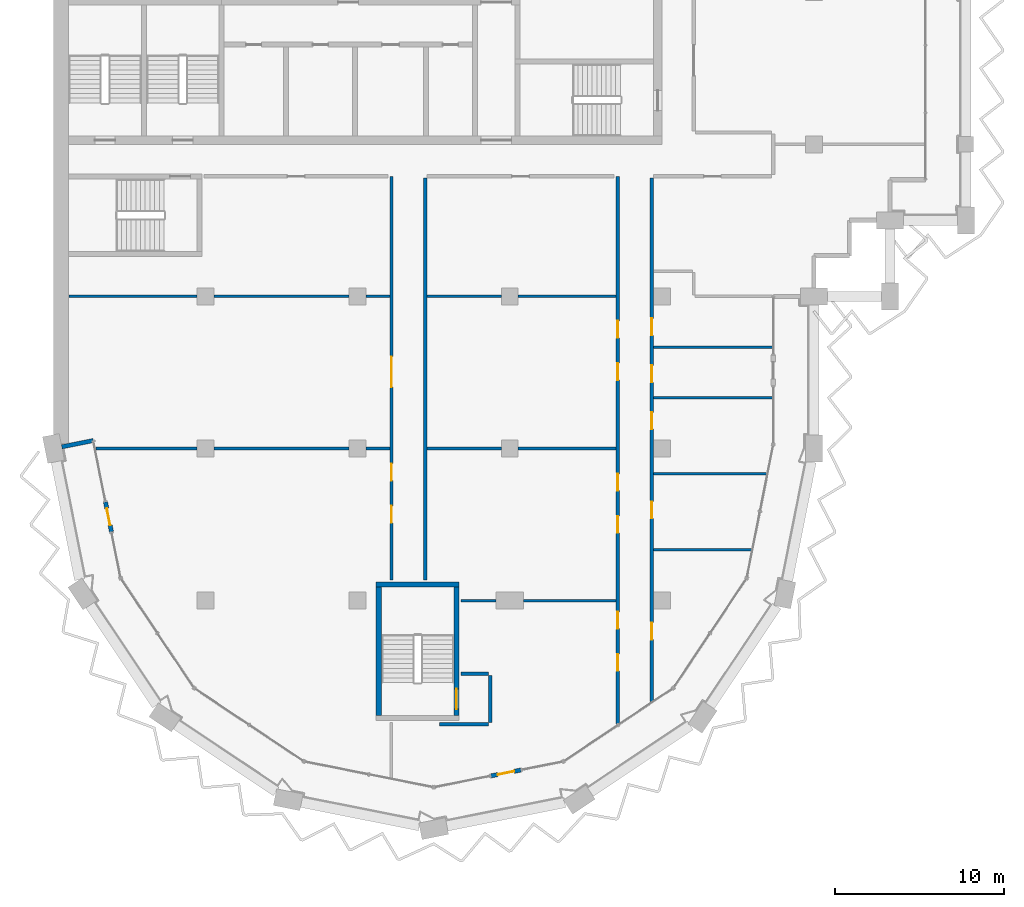
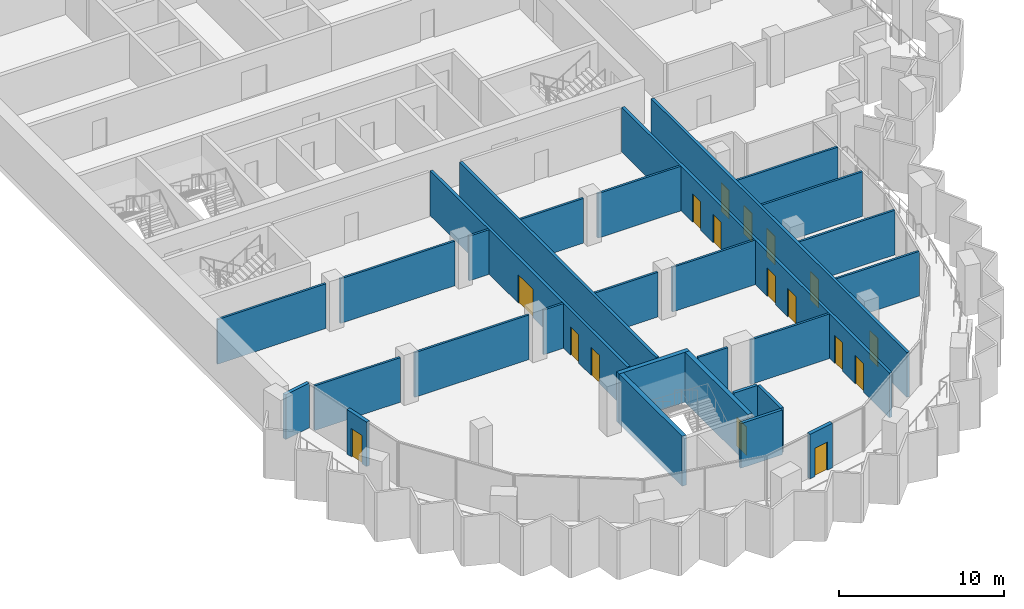
# One storey, part 7 of 16: 29 walls, 17 doors, 17 openings.
"""IFC4 building model written with IfcOpenShell, lengths in metres."""

from ifc_helpers import new_model, si_unit, direction, frame, frame_2d, origin, place, context, subcontext, project, spatial, rectangle, extrude, material, layer, layer_set, type_object, element, fill, save


model = new_model("IFC4")

# Units and contexts
model_context = context("Model", 3, precision=1e-05, world=origin(), true_north=direction((0.0, 1.0)))
body_context = subcontext(model_context, "Body", "Model", "MODEL_VIEW")
ifc_project = project(units=[si_unit("LENGTHUNIT", "METRE"), si_unit("AREAUNIT", "SQUARE_METRE"), si_unit("VOLUMEUNIT", "CUBIC_METRE"), si_unit("PLANEANGLEUNIT", "RADIAN"), si_unit("MASSUNIT", "GRAM", prefix="KILO")], contexts=[model_context])

# Site, building, storey
site_placement = place(None, origin())
site = spatial("IfcSite", under=ifc_project, at=site_placement, CompositionType="ELEMENT")
building_placement = place(site_placement, origin())
building = spatial("IfcBuilding", under=site, at=building_placement, Name="Hunhe Ridgeline Campus", CompositionType="ELEMENT")
storey_placement = place(building_placement, frame((0.0, 0.0, 261.39990234375)))
storey = spatial("IfcBuildingStorey", under=building, at=storey_placement, Name="L67", CompositionType="ELEMENT", Elevation=261.39990234375)

# Walls
ifc_material_1 = material(Name="Concrete C30", Category="concrete")
ifc_layer_1 = layer(ifc_material_1, 0.25)
ifc_layer_set_1 = layer_set([ifc_layer_1], Name="Corner return wall 250 Concrete C30")
wall_type_1 = type_object("IfcWallType", Name="Corner return wall 250 Concrete C30", PredefinedType="SOLIDWALL", material=ifc_layer_set_1)
wall_1_placement = place(storey_placement, frame((0.490234375, 45.098388671875, 0.0), z_axis=(0.0, 0.0, 1.0), x_axis=(0.980836699013, 0.194831644939, 0.0)))
element("IfcWall", 1, at=wall_1_placement, inside=storey, type_object=wall_type_1, Name="Corner return wall 1", PredefinedType="SOLIDWALL", context=body_context, shape_type="SweptSolid", body=[
    extrude(rectangle(XDim=1.90087890625, YDim=0.25, at=frame_2d((0.950439453125, 0.0))), origin(), (0.0, 0.0, 1.0), 3.300048828125),
])
ifc_material_2 = material(Name="Gypsum board partition")
ifc_layer_2 = layer(ifc_material_2, 0.199951171875)
ifc_layer_set_2 = layer_set([ifc_layer_2], Name="Corridor partition 200 gypsum board on steel studs")
wall_type_2 = type_object("IfcWallType", Name="Corridor partition 200 gypsum board on steel studs", PredefinedType="PARTITIONING", material=ifc_layer_set_2)
wall_2_placement = place(storey_placement, frame((25.75, 28.675048828125, 0.0), z_axis=(0.0, 0.0, 1.0), x_axis=(-1.0, 0.0, 0.0)))
element("IfcWall", 2, at=wall_2_placement, inside=storey, type_object=wall_type_2, Name="F-L67-wall-001", PredefinedType="PARTITIONING", context=body_context, shape_type="SweptSolid", body=[
    extrude(rectangle(XDim=2.89990234375, YDim=0.199951171875, at=frame_2d((1.449951171875, 0.0))), origin(), (0.0, 0.0, 1.0), 3.300048828125),
])
wall_3_placement = place(storey_placement, frame((24.10400390625, 31.675048828125, 0.0), z_axis=(0.0, 0.0, 1.0), x_axis=(1.0, 0.0, 0.0)))
element("IfcWall", 3, at=wall_3_placement, inside=storey, type_object=wall_type_2, Name="F-L67-wall-002", PredefinedType="PARTITIONING", context=body_context, shape_type="SweptSolid", body=[
    extrude(rectangle(XDim=1.64599609375, YDim=0.199951171875, at=frame_2d((0.822998046875, 0.0))), origin(), (0.0, 0.0, 1.0), 3.300048828125),
])

# Wall, openings, doors
wall_4_placement = place(storey_placement, frame((20.0, 37.2041015625, 0.0), z_axis=(0.0, 0.0, 1.0), x_axis=(0.0, 1.0, 0.0)))
wall_4 = element("IfcWall", 4, at=wall_4_placement, inside=storey, type_object=wall_type_2, Name="F-L67-wall-033", PredefinedType="PARTITIONING", context=body_context, shape_type="SweptSolid", body=[
    extrude(rectangle(XDim=23.89599609375, YDim=0.199951171875, at=frame_2d((11.947998046875, 0.0))), origin(), (0.0, 0.0, 1.0), 3.300048828125),
])
opening_1_placement = place(wall_4_placement, frame((3.398681640625, 0.0, 0.0)))
opening_1 = element("IfcOpeningElement", 5, at=opening_1_placement, cuts=wall_4, Name="Opening RD1-005", PredefinedType="OPENING", context=body_context, shape_type="SweptSolid", body=[
    extrude(rectangle(XDim=1.0, YDim=2.10009765625, at=frame_2d((0.5, 1.050048828125))), frame((0.0, 0.10009765625, 0.0), z_axis=(0.0, -1.0, 0.0), x_axis=(1.0, 0.0, 0.0)), (0.0, 0.0, 1.0), 0.199951171875),
])
opening_2_placement = place(wall_4_placement, frame((5.898681640625, 0.0, 0.0)))
opening_2 = element("IfcOpeningElement", 6, at=opening_2_placement, cuts=wall_4, Name="Opening RD1-008", PredefinedType="OPENING", context=body_context, shape_type="SweptSolid", body=[
    extrude(rectangle(XDim=1.0, YDim=2.10009765625, at=frame_2d((0.5, 1.050048828125))), frame((0.0, 0.10009765625, 0.0), z_axis=(0.0, -1.0, 0.0), x_axis=(1.0, 0.0, 0.0)), (0.0, 0.0, 1.0), 0.199951171875),
])
opening_3_placement = place(wall_4_placement, frame((11.42529296875, 0.0, 0.0)))
opening_3 = element("IfcOpeningElement", 7, at=opening_3_placement, cuts=wall_4, Name="Opening RD2-011", PredefinedType="OPENING", context=body_context, shape_type="SweptSolid", body=[
    extrude(rectangle(XDim=1.800048828125, YDim=2.10009765625, at=frame_2d((0.89990234375, 1.050048828125))), frame((0.0, 0.10009765625, 0.0), z_axis=(0.0, -1.0, 0.0), x_axis=(1.0, 0.0, 0.0)), (0.0, 0.0, 1.0), 0.199951171875),
])
ifc_material_3 = material(Name="Timber door leaf", Category="wood")
door_type_1 = type_object("IfcDoorType", Name="Double fire door 1800x2100 timber FD60", OperationType="DOUBLE_DOOR_SINGLE_SWING", PredefinedType="DOOR", material=ifc_material_3)
door_1_placement = place(opening_3_placement, origin())
door_1 = element("IfcDoor", 8, at=door_1_placement, inside=storey, type_object=door_type_1, Name="F-L67-door-011", OperationType="DOUBLE_DOOR_SINGLE_SWING", OverallHeight=2.10009765625, OverallWidth=1.800048828125, PredefinedType="DOOR", context=body_context, shape_type="SweptSolid", body=[
    extrude(rectangle(XDim=1.800048828125, YDim=2.10009765625, at=frame_2d((0.89990234375, 1.050048828125))), frame((0.0, 0.02490234375, 0.0), z_axis=(0.0, -1.0, 0.0), x_axis=(1.0, 0.0, 0.0)), (0.0, 0.0, 1.0), 0.050048828125),
])
fill(opening_3, door_1)
door_type_2 = type_object("IfcDoorType", Name="Single fire door 1000x2100 timber FD60", OperationType="NOTDEFINED", PredefinedType="DOOR", material=ifc_material_3)
door_2_placement = place(opening_1_placement, frame((1.0, 0.0, 0.0), z_axis=(0.0, 0.0, 1.0), x_axis=(-1.0, 0.0, 0.0)))
door_2 = element("IfcDoor", 9, at=door_2_placement, inside=storey, type_object=door_type_2, Name="F-L67-door-005", OperationType="SINGLE_SWING_LEFT", OverallHeight=2.10009765625, OverallWidth=1.0, PredefinedType="DOOR", context=body_context, shape_type="SweptSolid", body=[
    extrude(rectangle(XDim=1.0, YDim=2.10009765625, at=frame_2d((0.5, 1.050048828125))), frame((0.0, 0.02490234375, 0.0), z_axis=(0.0, -1.0, 0.0), x_axis=(1.0, 0.0, 0.0)), (0.0, 0.0, 1.0), 0.050048828125),
])
fill(opening_1, door_2)
door_3_placement = place(opening_2_placement, frame((1.0, 0.0, 0.0), z_axis=(0.0, 0.0, 1.0), x_axis=(-1.0, 0.0, 0.0)))
door_3 = element("IfcDoor", 10, at=door_3_placement, inside=storey, type_object=door_type_2, Name="F-L67-door-008", OperationType="SINGLE_SWING_LEFT", OverallHeight=2.10009765625, OverallWidth=1.0, PredefinedType="DOOR", context=body_context, shape_type="SweptSolid", body=[
    extrude(rectangle(XDim=1.0, YDim=2.10009765625, at=frame_2d((0.5, 1.050048828125))), frame((0.0, 0.02490234375, 0.0), z_axis=(0.0, -1.0, 0.0), x_axis=(1.0, 0.0, 0.0)), (0.0, 0.0, 1.0), 0.050048828125),
])
fill(opening_2, door_3)

# Walls
wall_5_placement = place(storey_placement, frame((22.0, 61.0, 0.0), z_axis=(0.0, 0.0, 1.0), x_axis=(0.0, -1.0, 0.0)))
element("IfcWall", 11, at=wall_5_placement, inside=storey, type_object=wall_type_2, Name="F-L67-wall-034", PredefinedType="PARTITIONING", context=body_context, shape_type="SweptSolid", body=[
    extrude(rectangle(XDim=23.7958984375, YDim=0.199951171875, at=frame_2d((11.89794921875, 0.0))), origin(), (0.0, 0.0, 1.0), 3.300048828125),
])
wall_6_placement = place(storey_placement, frame((25.85009765625, 31.574951171875, 0.0), z_axis=(0.0, 0.0, 1.0), x_axis=(0.0, -1.0, 0.0)))
element("IfcWall", 12, at=wall_6_placement, inside=storey, type_object=wall_type_2, Name="F-L67-wall-035", PredefinedType="PARTITIONING", context=body_context, shape_type="SweptSolid", body=[
    extrude(rectangle(XDim=2.800048828125, YDim=0.199951171875, at=frame_2d((1.39990234375, 0.0))), origin(), (0.0, 0.0, 1.0), 3.300048828125),
])

# Wall, openings, doors
wall_7_placement = place(storey_placement, frame((33.39990234375, 28.6953125, 0.0), z_axis=(0.0, 0.0, 1.0), x_axis=(0.0, 1.0, 0.0)))
wall_7 = element("IfcWall", 13, at=wall_7_placement, inside=storey, type_object=wall_type_2, Name="F-L67-wall-036", PredefinedType="PARTITIONING", context=body_context, shape_type="SweptSolid", body=[
    extrude(rectangle(XDim=32.40478515625, YDim=0.199951171875, at=frame_2d((16.202392578125, 0.0))), origin(), (0.0, 0.0, 1.0), 3.300048828125),
])
opening_4_placement = place(wall_7_placement, frame((3.142333984375, 0.0, 0.0)))
opening_4 = element("IfcOpeningElement", 14, at=opening_4_placement, cuts=wall_7, Name="Opening RD1-001", PredefinedType="OPENING", context=body_context, shape_type="SweptSolid", body=[
    extrude(rectangle(XDim=1.0, YDim=2.10009765625, at=frame_2d((0.5, 1.050048828125))), frame((0.0, 0.10009765625, 0.0), z_axis=(0.0, -1.0, 0.0), x_axis=(1.0, 0.0, 0.0)), (0.0, 0.0, 1.0), 0.199951171875),
])
opening_5_placement = place(wall_7_placement, frame((5.642333984375, 0.0, 0.0)))
opening_5 = element("IfcOpeningElement", 15, at=opening_5_placement, cuts=wall_7, Name="Opening RD1-003", PredefinedType="OPENING", context=body_context, shape_type="SweptSolid", body=[
    extrude(rectangle(XDim=1.0, YDim=2.10009765625, at=frame_2d((0.5, 1.050048828125))), frame((0.0, 0.10009765625, 0.0), z_axis=(0.0, -1.0, 0.0), x_axis=(1.0, 0.0, 0.0)), (0.0, 0.0, 1.0), 0.199951171875),
])
opening_6_placement = place(wall_7_placement, frame((11.306396484375, 0.0, 0.0)))
opening_6 = element("IfcOpeningElement", 16, at=opening_6_placement, cuts=wall_7, Name="Opening RD1-004", PredefinedType="OPENING", context=body_context, shape_type="SweptSolid", body=[
    extrude(rectangle(XDim=1.0, YDim=2.10009765625, at=frame_2d((0.5, 1.050048828125))), frame((0.0, 0.10009765625, 0.0), z_axis=(0.0, -1.0, 0.0), x_axis=(1.0, 0.0, 0.0)), (0.0, 0.0, 1.0), 0.199951171875),
])
opening_7_placement = place(wall_7_placement, frame((13.806396484375, 0.0, 0.0)))
opening_7 = element("IfcOpeningElement", 17, at=opening_7_placement, cuts=wall_7, Name="Opening RD1-007", PredefinedType="OPENING", context=body_context, shape_type="SweptSolid", body=[
    extrude(rectangle(XDim=1.0, YDim=2.10009765625, at=frame_2d((0.5, 1.050048828125))), frame((0.0, 0.10009765625, 0.0), z_axis=(0.0, -1.0, 0.0), x_axis=(1.0, 0.0, 0.0)), (0.0, 0.0, 1.0), 0.199951171875),
])
opening_8_placement = place(wall_7_placement, frame((20.349609375, 0.0, 0.0)))
opening_8 = element("IfcOpeningElement", 18, at=opening_8_placement, cuts=wall_7, Name="Opening RD1-012", PredefinedType="OPENING", context=body_context, shape_type="SweptSolid", body=[
    extrude(rectangle(XDim=1.0, YDim=2.10009765625, at=frame_2d((0.5, 1.050048828125))), frame((0.0, 0.10009765625, 0.0), z_axis=(0.0, -1.0, 0.0), x_axis=(1.0, 0.0, 0.0)), (0.0, 0.0, 1.0), 0.199951171875),
])
opening_9_placement = place(wall_7_placement, frame((22.849609375, 0.0, 0.0)))
opening_9 = element("IfcOpeningElement", 19, at=opening_9_placement, cuts=wall_7, Name="Opening RD1-013", PredefinedType="OPENING", context=body_context, shape_type="SweptSolid", body=[
    extrude(rectangle(XDim=1.0, YDim=2.10009765625, at=frame_2d((0.5, 1.050048828125))), frame((0.0, 0.10009765625, 0.0), z_axis=(0.0, -1.0, 0.0), x_axis=(1.0, 0.0, 0.0)), (0.0, 0.0, 1.0), 0.199951171875),
])
door_4_placement = place(opening_4_placement, frame((1.0, 0.0, 0.0), z_axis=(0.0, 0.0, 1.0), x_axis=(-1.0, 0.0, 0.0)))
door_4 = element("IfcDoor", 20, at=door_4_placement, inside=storey, type_object=door_type_2, Name="F-L67-door-001", OperationType="SINGLE_SWING_LEFT", OverallHeight=2.10009765625, OverallWidth=1.0, PredefinedType="DOOR", context=body_context, shape_type="SweptSolid", body=[
    extrude(rectangle(XDim=1.0, YDim=2.10009765625, at=frame_2d((0.5, 1.050048828125))), frame((0.0, 0.02490234375, 0.0), z_axis=(0.0, -1.0, 0.0), x_axis=(1.0, 0.0, 0.0)), (0.0, 0.0, 1.0), 0.050048828125),
])
fill(opening_4, door_4)
door_5_placement = place(opening_5_placement, frame((1.0, 0.0, 0.0), z_axis=(0.0, 0.0, 1.0), x_axis=(-1.0, 0.0, 0.0)))
door_5 = element("IfcDoor", 21, at=door_5_placement, inside=storey, type_object=door_type_2, Name="F-L67-door-003", OperationType="SINGLE_SWING_LEFT", OverallHeight=2.10009765625, OverallWidth=1.0, PredefinedType="DOOR", context=body_context, shape_type="SweptSolid", body=[
    extrude(rectangle(XDim=1.0, YDim=2.10009765625, at=frame_2d((0.5, 1.050048828125))), frame((0.0, 0.02490234375, 0.0), z_axis=(0.0, -1.0, 0.0), x_axis=(1.0, 0.0, 0.0)), (0.0, 0.0, 1.0), 0.050048828125),
])
fill(opening_5, door_5)
door_6_placement = place(opening_6_placement, frame((1.0, 0.0, 0.0), z_axis=(0.0, 0.0, 1.0), x_axis=(-1.0, 0.0, 0.0)))
door_6 = element("IfcDoor", 22, at=door_6_placement, inside=storey, type_object=door_type_2, Name="F-L67-door-004", OperationType="SINGLE_SWING_RIGHT", OverallHeight=2.10009765625, OverallWidth=1.0, PredefinedType="DOOR", context=body_context, shape_type="SweptSolid", body=[
    extrude(rectangle(XDim=1.0, YDim=2.10009765625, at=frame_2d((0.5, 1.050048828125))), frame((0.0, 0.02490234375, 0.0), z_axis=(0.0, -1.0, 0.0), x_axis=(1.0, 0.0, 0.0)), (0.0, 0.0, 1.0), 0.050048828125),
])
fill(opening_6, door_6)
door_7_placement = place(opening_7_placement, frame((1.0, 0.0, 0.0), z_axis=(0.0, 0.0, 1.0), x_axis=(-1.0, 0.0, 0.0)))
door_7 = element("IfcDoor", 23, at=door_7_placement, inside=storey, type_object=door_type_2, Name="F-L67-door-007", OperationType="SINGLE_SWING_LEFT", OverallHeight=2.10009765625, OverallWidth=1.0, PredefinedType="DOOR", context=body_context, shape_type="SweptSolid", body=[
    extrude(rectangle(XDim=1.0, YDim=2.10009765625, at=frame_2d((0.5, 1.050048828125))), frame((0.0, 0.02490234375, 0.0), z_axis=(0.0, -1.0, 0.0), x_axis=(1.0, 0.0, 0.0)), (0.0, 0.0, 1.0), 0.050048828125),
])
fill(opening_7, door_7)
door_8_placement = place(opening_8_placement, frame((1.0, 0.0, 0.0), z_axis=(0.0, 0.0, 1.0), x_axis=(-1.0, 0.0, 0.0)))
door_8 = element("IfcDoor", 24, at=door_8_placement, inside=storey, type_object=door_type_2, Name="F-L67-door-012", OperationType="SINGLE_SWING_LEFT", OverallHeight=2.10009765625, OverallWidth=1.0, PredefinedType="DOOR", context=body_context, shape_type="SweptSolid", body=[
    extrude(rectangle(XDim=1.0, YDim=2.10009765625, at=frame_2d((0.5, 1.050048828125))), frame((0.0, 0.02490234375, 0.0), z_axis=(0.0, -1.0, 0.0), x_axis=(1.0, 0.0, 0.0)), (0.0, 0.0, 1.0), 0.050048828125),
])
fill(opening_8, door_8)
door_9_placement = place(opening_9_placement, frame((1.0, 0.0, 0.0), z_axis=(0.0, 0.0, 1.0), x_axis=(-1.0, 0.0, 0.0)))
door_9 = element("IfcDoor", 25, at=door_9_placement, inside=storey, type_object=door_type_2, Name="F-L67-door-013", OperationType="SINGLE_SWING_LEFT", OverallHeight=2.10009765625, OverallWidth=1.0, PredefinedType="DOOR", context=body_context, shape_type="SweptSolid", body=[
    extrude(rectangle(XDim=1.0, YDim=2.10009765625, at=frame_2d((0.5, 1.050048828125))), frame((0.0, 0.02490234375, 0.0), z_axis=(0.0, -1.0, 0.0), x_axis=(1.0, 0.0, 0.0)), (0.0, 0.0, 1.0), 0.050048828125),
])
fill(opening_9, door_9)

wall_8_placement = place(storey_placement, frame((35.39990234375, 61.0, 0.0), z_axis=(0.0, 0.0, 1.0), x_axis=(0.0, -1.0, 0.0)))
wall_8 = element("IfcWall", 26, at=wall_8_placement, inside=storey, type_object=wall_type_2, Name="F-L67-wall-037", PredefinedType="PARTITIONING", context=body_context, shape_type="SweptSolid", body=[
    extrude(rectangle(XDim=30.968505859375, YDim=0.199951171875, at=frame_2d((15.484375, 0.0))), origin(), (0.0, 0.0, 1.0), 3.300048828125),
])
opening_10_placement = place(wall_8_placement, frame((26.310546875, 0.0, 0.0)))
opening_10 = element("IfcOpeningElement", 27, at=opening_10_placement, cuts=wall_8, Name="Opening RD1-002", PredefinedType="OPENING", context=body_context, shape_type="SweptSolid", body=[
    extrude(rectangle(XDim=1.0, YDim=2.10009765625, at=frame_2d((0.5, 1.050048828125))), frame((0.0, 0.10009765625, 0.0), z_axis=(0.0, -1.0, 0.0), x_axis=(1.0, 0.0, 0.0)), (0.0, 0.0, 1.0), 0.199951171875),
])
opening_11_placement = place(wall_8_placement, frame((19.138427734375, 0.0, 0.0)))
opening_11 = element("IfcOpeningElement", 28, at=opening_11_placement, cuts=wall_8, Name="Opening RD1-006", PredefinedType="OPENING", context=body_context, shape_type="SweptSolid", body=[
    extrude(rectangle(XDim=1.0, YDim=2.10009765625, at=frame_2d((0.5, 1.050048828125))), frame((0.0, 0.10009765625, 0.0), z_axis=(0.0, -1.0, 0.0), x_axis=(1.0, 0.0, 0.0)), (0.0, 0.0, 1.0), 0.199951171875),
])
opening_12_placement = place(wall_8_placement, frame((13.8583984375, 0.0, 0.0)))
opening_12 = element("IfcOpeningElement", 29, at=opening_12_placement, cuts=wall_8, Name="Opening RD1-009", PredefinedType="OPENING", context=body_context, shape_type="SweptSolid", body=[
    extrude(rectangle(XDim=1.0, YDim=2.10009765625, at=frame_2d((0.5, 1.050048828125))), frame((0.0, 0.10009765625, 0.0), z_axis=(0.0, -1.0, 0.0), x_axis=(1.0, 0.0, 0.0)), (0.0, 0.0, 1.0), 0.199951171875),
])
opening_13_placement = place(wall_8_placement, frame((11.081787109375, 0.0, 0.0)))
opening_13 = element("IfcOpeningElement", 30, at=opening_13_placement, cuts=wall_8, Name="Opening RD1-010", PredefinedType="OPENING", context=body_context, shape_type="SweptSolid", body=[
    extrude(rectangle(XDim=1.0, YDim=2.10009765625, at=frame_2d((0.5, 1.050048828125))), frame((0.0, 0.10009765625, 0.0), z_axis=(0.0, -1.0, 0.0), x_axis=(1.0, 0.0, 0.0)), (0.0, 0.0, 1.0), 0.199951171875),
])
opening_14_placement = place(wall_8_placement, frame((8.30517578125, 0.0, 0.0)))
opening_14 = element("IfcOpeningElement", 31, at=opening_14_placement, cuts=wall_8, Name="Opening RD1-014", PredefinedType="OPENING", context=body_context, shape_type="SweptSolid", body=[
    extrude(rectangle(XDim=1.0, YDim=2.10009765625, at=frame_2d((0.5, 1.050048828125))), frame((0.0, 0.10009765625, 0.0), z_axis=(0.0, -1.0, 0.0), x_axis=(1.0, 0.0, 0.0)), (0.0, 0.0, 1.0), 0.199951171875),
])
door_10_placement = place(opening_10_placement, origin())
door_10 = element("IfcDoor", 32, at=door_10_placement, inside=storey, type_object=door_type_2, Name="F-L67-door-002", OperationType="SINGLE_SWING_RIGHT", OverallHeight=2.10009765625, OverallWidth=1.0, PredefinedType="DOOR", context=body_context, shape_type="SweptSolid", body=[
    extrude(rectangle(XDim=1.0, YDim=2.10009765625, at=frame_2d((0.5, 1.050048828125))), frame((0.0, 0.02490234375, 0.0), z_axis=(0.0, -1.0, 0.0), x_axis=(1.0, 0.0, 0.0)), (0.0, 0.0, 1.0), 0.050048828125),
])
fill(opening_10, door_10)
door_11_placement = place(opening_11_placement, origin())
door_11 = element("IfcDoor", 33, at=door_11_placement, inside=storey, type_object=door_type_2, Name="F-L67-door-006", OperationType="SINGLE_SWING_LEFT", OverallHeight=2.10009765625, OverallWidth=1.0, PredefinedType="DOOR", context=body_context, shape_type="SweptSolid", body=[
    extrude(rectangle(XDim=1.0, YDim=2.10009765625, at=frame_2d((0.5, 1.050048828125))), frame((0.0, 0.02490234375, 0.0), z_axis=(0.0, -1.0, 0.0), x_axis=(1.0, 0.0, 0.0)), (0.0, 0.0, 1.0), 0.050048828125),
])
fill(opening_11, door_11)
door_12_placement = place(opening_12_placement, origin())
door_12 = element("IfcDoor", 34, at=door_12_placement, inside=storey, type_object=door_type_2, Name="F-L67-door-009", OperationType="SINGLE_SWING_LEFT", OverallHeight=2.10009765625, OverallWidth=1.0, PredefinedType="DOOR", context=body_context, shape_type="SweptSolid", body=[
    extrude(rectangle(XDim=1.0, YDim=2.10009765625, at=frame_2d((0.5, 1.050048828125))), frame((0.0, 0.02490234375, 0.0), z_axis=(0.0, -1.0, 0.0), x_axis=(1.0, 0.0, 0.0)), (0.0, 0.0, 1.0), 0.050048828125),
])
fill(opening_12, door_12)
door_13_placement = place(opening_13_placement, origin())
door_13 = element("IfcDoor", 35, at=door_13_placement, inside=storey, type_object=door_type_2, Name="F-L67-door-010", OperationType="SINGLE_SWING_LEFT", OverallHeight=2.10009765625, OverallWidth=1.0, PredefinedType="DOOR", context=body_context, shape_type="SweptSolid", body=[
    extrude(rectangle(XDim=1.0, YDim=2.10009765625, at=frame_2d((0.5, 1.050048828125))), frame((0.0, 0.02490234375, 0.0), z_axis=(0.0, -1.0, 0.0), x_axis=(1.0, 0.0, 0.0)), (0.0, 0.0, 1.0), 0.050048828125),
])
fill(opening_13, door_13)
door_14_placement = place(opening_14_placement, origin())
door_14 = element("IfcDoor", 36, at=door_14_placement, inside=storey, type_object=door_type_2, Name="F-L67-door-014", OperationType="SINGLE_SWING_RIGHT", OverallHeight=2.10009765625, OverallWidth=1.0, PredefinedType="DOOR", context=body_context, shape_type="SweptSolid", body=[
    extrude(rectangle(XDim=1.0, YDim=2.10009765625, at=frame_2d((0.5, 1.050048828125))), frame((0.0, 0.02490234375, 0.0), z_axis=(0.0, -1.0, 0.0), x_axis=(1.0, 0.0, 0.0)), (0.0, 0.0, 1.0), 0.050048828125),
])
fill(opening_14, door_14)

# Wall, opening, door
ifc_layer_3 = layer(ifc_material_1, 0.25)
ifc_layer_set_3 = layer_set([ifc_layer_3], Name="Loggia door pier wall 250 Concrete C30")
wall_type_3 = type_object("IfcWallType", Name="Loggia door pier wall 250 Concrete C30", PredefinedType="SOLIDWALL", material=ifc_layer_set_3)
wall_9_placement = place(storey_placement, frame((3.076904296875, 41.8388671875, 0.0), z_axis=(0.0, 0.0, 1.0), x_axis=(0.195046569833, -0.980793982239, 0.0)))
wall_9 = element("IfcWall", 37, at=wall_9_placement, inside=storey, type_object=wall_type_3, Name="Loggia door pier 1", PredefinedType="SOLIDWALL", context=body_context, shape_type="SweptSolid", body=[
    extrude(rectangle(XDim=1.800048828125, YDim=0.25, at=frame_2d((0.89990234375, 0.0))), origin(), (0.0, 0.0, 1.0), 3.300048828125),
])
opening_15_placement = place(wall_9_placement, frame((0.39990234375, 0.0, 0.0)))
opening_15 = element("IfcOpeningElement", 38, at=opening_15_placement, cuts=wall_9, Name="Opening BD501", PredefinedType="OPENING", context=body_context, shape_type="SweptSolid", body=[
    extrude(rectangle(XDim=1.0, YDim=2.10009765625, at=frame_2d((0.5, 1.050048828125))), frame((0.0, 0.125, 0.0), z_axis=(0.0, -1.0, 0.0), x_axis=(1.0, 0.0, 0.0)), (0.0, 0.0, 1.0), 0.25),
])
ifc_material_4 = material(Name="Aluminium 6063", Category="aluminium")
door_type_3 = type_object("IfcDoorType", Name="Loggia glazed door 1000x2100", OperationType="NOTDEFINED", PredefinedType="DOOR", material=ifc_material_4)
door_15_placement = place(opening_15_placement, frame((1.0, 0.0, 0.0), z_axis=(0.0, 0.0, 1.0), x_axis=(-1.0, 0.0, 0.0)))
door_15 = element("IfcDoor", 39, at=door_15_placement, inside=storey, type_object=door_type_3, Name="Loggia door BD501", OperationType="SINGLE_SWING_RIGHT", OverallHeight=2.10009765625, OverallWidth=1.0, PredefinedType="DOOR", context=body_context, shape_type="SweptSolid", body=[
    extrude(rectangle(XDim=1.0, YDim=2.10009765625, at=frame_2d((0.5, 1.050048828125))), frame((0.0, 0.02490234375, 0.0), z_axis=(0.0, -1.0, 0.0), x_axis=(1.0, 0.0, 0.0)), (0.0, 0.0, 1.0), 0.050048828125),
])
fill(opening_15, door_15)

wall_10_placement = place(storey_placement, frame((25.8955078125, 25.62353515625, 0.0), z_axis=(0.0, 0.0, 1.0), x_axis=(0.980793982239, 0.195046569833, 0.0)))
wall_10 = element("IfcWall", 40, at=wall_10_placement, inside=storey, type_object=wall_type_3, Name="Loggia door pier 2", PredefinedType="SOLIDWALL", context=body_context, shape_type="SweptSolid", body=[
    extrude(rectangle(XDim=1.800048828125, YDim=0.25, at=frame_2d((0.89990234375, 0.0))), origin(), (0.0, 0.0, 1.0), 3.300048828125),
])
opening_16_placement = place(wall_10_placement, frame((0.39990234375, 0.0, 0.0)))
opening_16 = element("IfcOpeningElement", 41, at=opening_16_placement, cuts=wall_10, Name="Opening BD503", PredefinedType="OPENING", context=body_context, shape_type="SweptSolid", body=[
    extrude(rectangle(XDim=1.0, YDim=2.10009765625, at=frame_2d((0.5, 1.050048828125))), frame((0.0, 0.125, 0.0), z_axis=(0.0, -1.0, 0.0), x_axis=(1.0, 0.0, 0.0)), (0.0, 0.0, 1.0), 0.25),
])
door_16_placement = place(opening_16_placement, frame((1.0, 0.0, 0.0), z_axis=(0.0, 0.0, 1.0), x_axis=(-1.0, 0.0, 0.0)))
door_16 = element("IfcDoor", 42, at=door_16_placement, inside=storey, type_object=door_type_3, Name="Loggia door BD503", OperationType="SINGLE_SWING_RIGHT", OverallHeight=2.10009765625, OverallWidth=1.0, PredefinedType="DOOR", context=body_context, shape_type="SweptSolid", body=[
    extrude(rectangle(XDim=1.0, YDim=2.10009765625, at=frame_2d((0.5, 1.050048828125))), frame((0.0, 0.02490234375, 0.0), z_axis=(0.0, -1.0, 0.0), x_axis=(1.0, 0.0, 0.0)), (0.0, 0.0, 1.0), 0.050048828125),
])
fill(opening_16, door_16)

# Walls
ifc_layer_4 = layer(ifc_material_2, 0.14990234375)
ifc_layer_set_4 = layer_set([ifc_layer_4], Name="Room partition 150 gypsum board on steel studs")
wall_type_4 = type_object("IfcWallType", Name="Room partition 150 gypsum board on steel studs", PredefinedType="PARTITIONING", material=ifc_layer_set_4)
wall_11_placement = place(storey_placement, frame((24.10400390625, 36.0, 0.0), z_axis=(0.0, 0.0, 1.0), x_axis=(1.0, 0.0, 0.0)))
element("IfcWall", 43, at=wall_11_placement, inside=storey, type_object=wall_type_4, Name="F-L67-wall-003", PredefinedType="PARTITIONING", context=body_context, shape_type="SweptSolid", body=[
    extrude(rectangle(XDim=2.095947265625, YDim=0.14990234375, at=frame_2d((1.0478515625, 0.0))), origin(), (0.0, 0.0, 1.0), 3.300048828125),
])
wall_12_placement = place(storey_placement, frame((27.800048828125, 36.0, 0.0), z_axis=(0.0, 0.0, 1.0), x_axis=(1.0, 0.0, 0.0)))
element("IfcWall", 44, at=wall_12_placement, inside=storey, type_object=wall_type_4, Name="F-L67-wall-004", PredefinedType="PARTITIONING", context=body_context, shape_type="SweptSolid", body=[
    extrude(rectangle(XDim=5.5, YDim=0.14990234375, at=frame_2d((2.75, 0.0))), origin(), (0.0, 0.0, 1.0), 3.300048828125),
])
wall_13_placement = place(storey_placement, frame((35.5, 39.0, 0.0), z_axis=(0.0, 0.0, 1.0), x_axis=(1.0, 0.0, 0.0)))
element("IfcWall", 45, at=wall_13_placement, inside=storey, type_object=wall_type_4, Name="F-L67-wall-005", PredefinedType="PARTITIONING", context=body_context, shape_type="SweptSolid", body=[
    extrude(rectangle(XDim=5.803466796875, YDim=0.14990234375, at=frame_2d((2.90185546875, 0.0))), origin(), (0.0, 0.0, 1.0), 3.300048828125),
])
wall_14_placement = place(storey_placement, frame((35.5, 43.5, 0.0), z_axis=(0.0, 0.0, 1.0), x_axis=(1.0, 0.0, 0.0)))
element("IfcWall", 46, at=wall_14_placement, inside=storey, type_object=wall_type_4, Name="F-L67-wall-006", PredefinedType="PARTITIONING", context=body_context, shape_type="SweptSolid", body=[
    extrude(rectangle(XDim=6.698486328125, YDim=0.14990234375, at=frame_2d((3.34912109375, 0.0))), origin(), (0.0, 0.0, 1.0), 3.300048828125),
])
wall_15_placement = place(storey_placement, frame((2.503173828125, 45.0, 0.0), z_axis=(0.0, 0.0, 1.0), x_axis=(1.0, 0.0, 0.0)))
element("IfcWall", 47, at=wall_15_placement, inside=storey, type_object=wall_type_4, Name="F-L67-wall-007", PredefinedType="PARTITIONING", context=body_context, shape_type="SweptSolid", body=[
    extrude(rectangle(XDim=5.996826171875, YDim=0.14990234375, at=frame_2d((2.99853515625, 0.0))), origin(), (0.0, 0.0, 1.0), 3.300048828125),
])
wall_16_placement = place(storey_placement, frame((9.5, 45.0, 0.0), z_axis=(0.0, 0.0, 1.0), x_axis=(1.0, 0.0, 0.0)))
element("IfcWall", 48, at=wall_16_placement, inside=storey, type_object=wall_type_4, Name="F-L67-wall-008", PredefinedType="PARTITIONING", context=body_context, shape_type="SweptSolid", body=[
    extrude(rectangle(XDim=8.0, YDim=0.14990234375, at=frame_2d((4.0, 0.0))), origin(), (0.0, 0.0, 1.0), 3.300048828125),
])
wall_17_placement = place(storey_placement, frame((18.5, 45.0, 0.0), z_axis=(0.0, 0.0, 1.0), x_axis=(1.0, 0.0, 0.0)))
element("IfcWall", 49, at=wall_17_placement, inside=storey, type_object=wall_type_4, Name="F-L67-wall-009", PredefinedType="PARTITIONING", context=body_context, shape_type="SweptSolid", body=[
    extrude(rectangle(XDim=1.39990234375, YDim=0.14990234375, at=frame_2d((0.699951171875, 0.0))), origin(), (0.0, 0.0, 1.0), 3.300048828125),
])
wall_18_placement = place(storey_placement, frame((22.10009765625, 45.0, 0.0), z_axis=(0.0, 0.0, 1.0), x_axis=(1.0, 0.0, 0.0)))
element("IfcWall", 50, at=wall_18_placement, inside=storey, type_object=wall_type_4, Name="F-L67-wall-010", PredefinedType="PARTITIONING", context=body_context, shape_type="SweptSolid", body=[
    extrude(rectangle(XDim=4.39990234375, YDim=0.14990234375, at=frame_2d((2.199951171875, 0.0))), origin(), (0.0, 0.0, 1.0), 3.300048828125),
])
wall_19_placement = place(storey_placement, frame((27.5, 45.0, 0.0), z_axis=(0.0, 0.0, 1.0), x_axis=(1.0, 0.0, 0.0)))
element("IfcWall", 51, at=wall_19_placement, inside=storey, type_object=wall_type_4, Name="F-L67-wall-011", PredefinedType="PARTITIONING", context=body_context, shape_type="SweptSolid", body=[
    extrude(rectangle(XDim=5.800048828125, YDim=0.14990234375, at=frame_2d((2.89990234375, 0.0))), origin(), (0.0, 0.0, 1.0), 3.300048828125),
])
for number, where, z_axis, x_axis, name in (
    (52, (35.5, 48.0, 0.0), (0.0, 0.0, 1.0), (1.0, 0.0, 0.0), "F-L67-wall-012"),
    (53, (35.5, 51.0, 0.0), (0.0, 0.0, 1.0), (1.0, 0.0, 0.0), "F-L67-wall-013"),
):
    element("IfcWall", number, at=place(storey_placement, frame(where, z_axis=z_axis, x_axis=x_axis)), inside=storey, type_object=wall_type_4, Name=name, PredefinedType="PARTITIONING", context=body_context, shape_type="SweptSolid", body=[
        extrude(rectangle(XDim=7.045166015625, YDim=0.14990234375, at=frame_2d((3.5224609375, 0.0))), origin(), (0.0, 0.0, 1.0), 3.300048828125),
    ])
wall_20_placement = place(storey_placement, frame((0.919921875, 54.0, 0.0), z_axis=(0.0, 0.0, 1.0), x_axis=(1.0, 0.0, 0.0)))
element("IfcWall", 54, at=wall_20_placement, inside=storey, type_object=wall_type_4, Name="F-L67-wall-014", PredefinedType="PARTITIONING", context=body_context, shape_type="SweptSolid", body=[
    extrude(rectangle(XDim=7.580078125, YDim=0.14990234375, at=frame_2d((3.7900390625, 0.0))), origin(), (0.0, 0.0, 1.0), 3.300048828125),
])
wall_21_placement = place(storey_placement, frame((9.5, 54.0, 0.0), z_axis=(0.0, 0.0, 1.0), x_axis=(1.0, 0.0, 0.0)))
element("IfcWall", 55, at=wall_21_placement, inside=storey, type_object=wall_type_4, Name="F-L67-wall-015", PredefinedType="PARTITIONING", context=body_context, shape_type="SweptSolid", body=[
    extrude(rectangle(XDim=8.0, YDim=0.14990234375, at=frame_2d((4.0, 0.0))), origin(), (0.0, 0.0, 1.0), 3.300048828125),
])
wall_22_placement = place(storey_placement, frame((18.5, 54.0, 0.0), z_axis=(0.0, 0.0, 1.0), x_axis=(1.0, 0.0, 0.0)))
element("IfcWall", 56, at=wall_22_placement, inside=storey, type_object=wall_type_4, Name="F-L67-wall-016", PredefinedType="PARTITIONING", context=body_context, shape_type="SweptSolid", body=[
    extrude(rectangle(XDim=1.39990234375, YDim=0.14990234375, at=frame_2d((0.699951171875, 0.0))), origin(), (0.0, 0.0, 1.0), 3.300048828125),
])
wall_23_placement = place(storey_placement, frame((22.10009765625, 54.0, 0.0), z_axis=(0.0, 0.0, 1.0), x_axis=(1.0, 0.0, 0.0)))
element("IfcWall", 57, at=wall_23_placement, inside=storey, type_object=wall_type_4, Name="F-L67-wall-017", PredefinedType="PARTITIONING", context=body_context, shape_type="SweptSolid", body=[
    extrude(rectangle(XDim=4.39990234375, YDim=0.14990234375, at=frame_2d((2.199951171875, 0.0))), origin(), (0.0, 0.0, 1.0), 3.300048828125),
])
wall_24_placement = place(storey_placement, frame((27.5, 54.0, 0.0), z_axis=(0.0, 0.0, 1.0), x_axis=(1.0, 0.0, 0.0)))
element("IfcWall", 58, at=wall_24_placement, inside=storey, type_object=wall_type_4, Name="F-L67-wall-018", PredefinedType="PARTITIONING", context=body_context, shape_type="SweptSolid", body=[
    extrude(rectangle(XDim=5.800048828125, YDim=0.14990234375, at=frame_2d((2.89990234375, 0.0))), origin(), (0.0, 0.0, 1.0), 3.300048828125),
])
ifc_material_5 = material(Name="Concrete C50", Category="concrete")
ifc_layer_5 = layer(ifc_material_5, 0.300048828125)
ifc_layer_set_5 = layer_set([ifc_layer_5], Name="Stair wall 300 reinforced concrete C50")
wall_type_5 = type_object("IfcWallType", Name="Stair wall 300 reinforced concrete C50", PredefinedType="SOLIDWALL", material=ifc_layer_set_5)
wall_25_placement = place(storey_placement, frame((19.10009765625, 36.949951171875, -0.39990234375), z_axis=(0.0, 0.0, 1.0), x_axis=(1.0, 0.0, 0.0)))
element("IfcWall", 59, at=wall_25_placement, inside=storey, type_object=wall_type_5, Name="L67 core wall 2", PredefinedType="SOLIDWALL", context=body_context, shape_type="SweptSolid", body=[
    extrude(rectangle(XDim=4.89990234375, YDim=0.300048828125, at=frame_2d((2.449951171875, 0.0))), origin(), (0.0, 0.0, 1.0), 3.699951171875),
])
wall_26_placement = place(storey_placement, frame((19.25, 29.199951171875, -0.39990234375), z_axis=(0.0, 0.0, 1.0), x_axis=(0.0, 1.0, 0.0)))
element("IfcWall", 60, at=wall_26_placement, inside=storey, type_object=wall_type_5, Name="L67 core wall 37", PredefinedType="SOLIDWALL", context=body_context, shape_type="SweptSolid", body=[
    extrude(rectangle(XDim=7.60009765625, YDim=0.300048828125, at=frame_2d((3.800048828125, 0.0))), origin(), (0.0, 0.0, 1.0), 3.699951171875),
])

# Wall, opening, door
wall_27_placement = place(storey_placement, frame((23.85009765625, 29.199951171875, -0.39990234375), z_axis=(0.0, 0.0, 1.0), x_axis=(0.0, 1.0, 0.0)))
wall_27 = element("IfcWall", 61, at=wall_27_placement, inside=storey, type_object=wall_type_5, Name="L67 core wall 42", PredefinedType="SOLIDWALL", context=body_context, shape_type="SweptSolid", body=[
    extrude(rectangle(XDim=7.60009765625, YDim=0.300048828125, at=frame_2d((3.800048828125, 0.0))), origin(), (0.0, 0.0, 1.0), 3.699951171875),
])
opening_17_placement = place(wall_27_placement, frame((0.375, 0.0, 0.39990234375)))
opening_17 = element("IfcOpeningElement", 62, at=opening_17_placement, cuts=wall_27, Name="Opening CD23", PredefinedType="OPENING", context=body_context, shape_type="SweptSolid", body=[
    extrude(rectangle(XDim=1.199951171875, YDim=2.10009765625, at=frame_2d((0.60009765625, 1.050048828125))), frame((0.0, 0.14990234375, 0.0), z_axis=(0.0, -1.0, 0.0), x_axis=(1.0, 0.0, 0.0)), (0.0, 0.0, 1.0), 0.300048828125),
])
ifc_material_6 = material(Name="Hollow metal fire door leaf")
door_type_4 = type_object("IfcDoorType", Name="Stair door 1200x2100 FD60", OperationType="SINGLE_SWING_LEFT", PredefinedType="DOOR", material=ifc_material_6)
door_17_placement = place(opening_17_placement, frame((1.199951171875, 0.0, 0.0), z_axis=(0.0, 0.0, 1.0), x_axis=(-1.0, 0.0, 0.0)))
door_17 = element("IfcDoor", 63, at=door_17_placement, inside=storey, type_object=door_type_4, Name="L67 door W3", OperationType="SINGLE_SWING_LEFT", OverallHeight=2.10009765625, OverallWidth=1.199951171875, PredefinedType="DOOR", context=body_context, shape_type="SweptSolid", body=[
    extrude(rectangle(XDim=1.199951171875, YDim=2.10009765625, at=frame_2d((0.60009765625, 1.050048828125))), frame((0.0, 0.02490234375, 0.0), z_axis=(0.0, -1.0, 0.0), x_axis=(1.0, 0.0, 0.0)), (0.0, 0.0, 1.0), 0.050048828125),
])
fill(opening_17, door_17)

save(model, "model.ifc")
